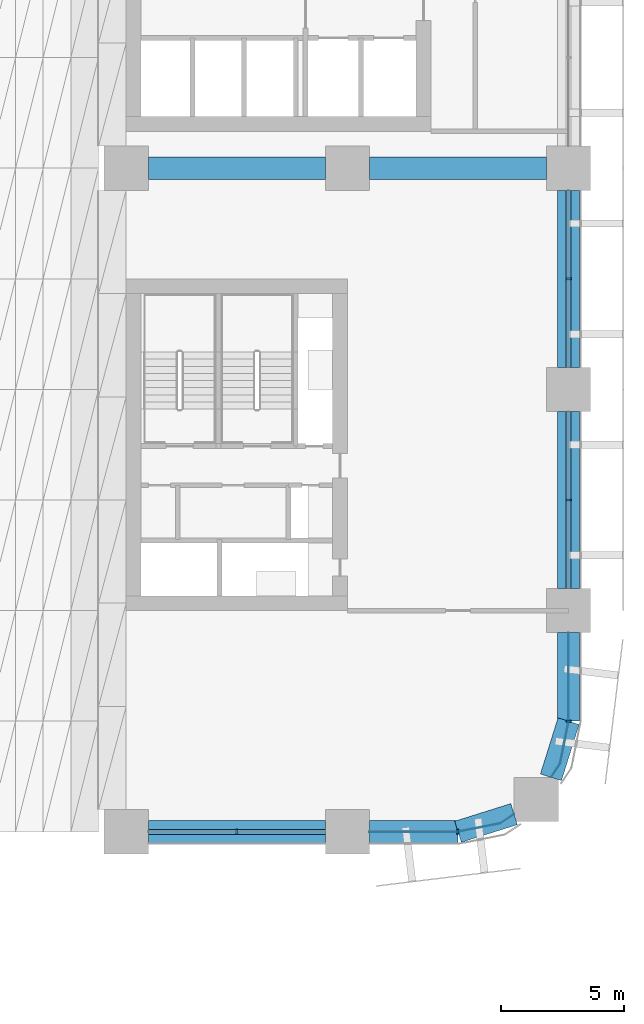
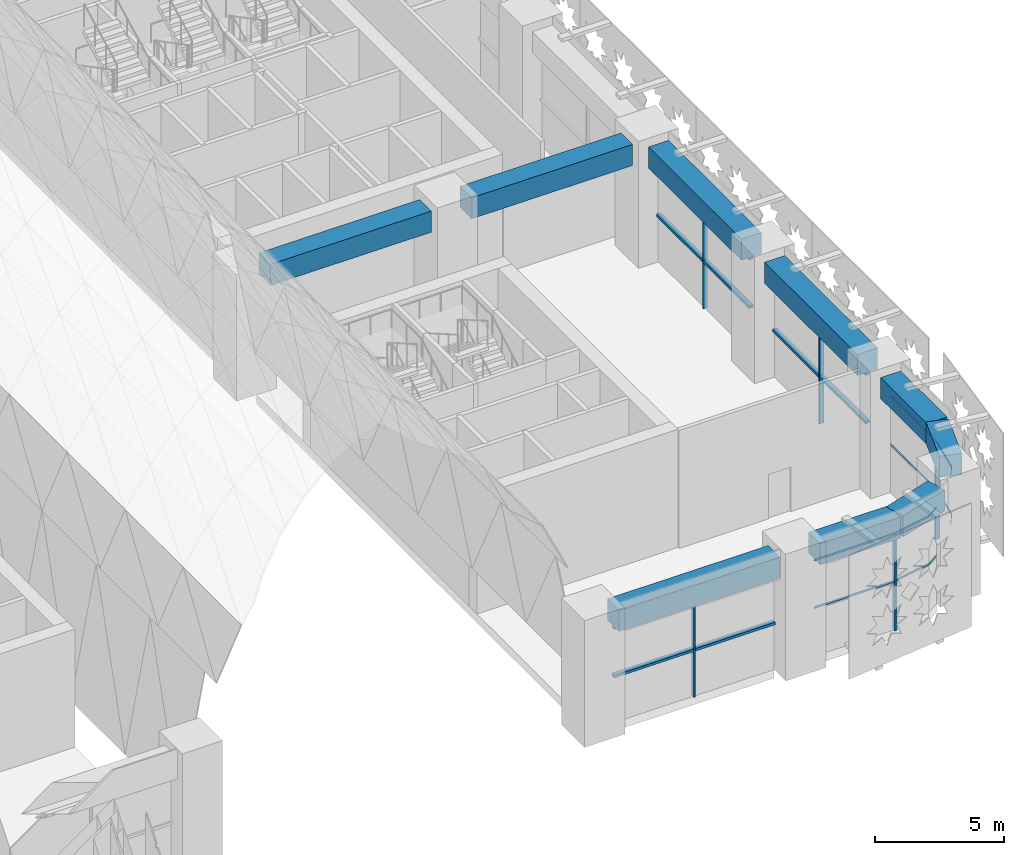
# One storey, part 6 of 46: 15 members, 9 beams, 5 elements without a shape of their own.
"""IFC4 building model written with IfcOpenShell, lengths in metres."""

from ifc_helpers import new_model, si_unit, direction, frame, origin, origin_2d, place, context, subcontext, project, spatial, polyline, rectangle, outline, extrude, material, material_profile, profile_set, type_object, element, aggregate, save


model = new_model("IFC4")

# Units and contexts
model_context = context("Model", 3, precision=1e-05, world=origin(), true_north=direction((0.0, 1.0)))
body_context = subcontext(model_context, "Body", "Model", "MODEL_VIEW")
ifc_project = project(units=[si_unit("LENGTHUNIT", "METRE"), si_unit("AREAUNIT", "SQUARE_METRE"), si_unit("VOLUMEUNIT", "CUBIC_METRE"), si_unit("PLANEANGLEUNIT", "RADIAN"), si_unit("MASSUNIT", "GRAM", prefix="KILO")], contexts=[model_context])

# Site, building, storey
site_placement = place(None, origin())
site = spatial("IfcSite", under=ifc_project, at=site_placement, CompositionType="ELEMENT")
building_placement = place(site_placement, origin())
building = spatial("IfcBuilding", under=site, at=building_placement, Name="Tessera Arch", CompositionType="ELEMENT")
storey_placement = place(building_placement, frame((0.0, 0.0, 8.0)))
storey = spatial("IfcBuildingStorey", under=building, at=storey_placement, Name="L01", CompositionType="ELEMENT", Elevation=8.0)

# Curtain wall, member
ifc_material_1 = material(Name="CW2 curtain wall")
curtain_wall_type_1 = type_object("IfcCurtainWallType", Name="CW2 curtain wall", PredefinedType="NOTDEFINED", material=ifc_material_1)
curtain_wall_1_placement = place(storey_placement, origin())
curtain_wall_1 = element("IfcCurtainWall", 1, at=curtain_wall_1_placement, inside=storey, type_object=curtain_wall_type_1, Name="CW2 curtain wall S0.36/1 L01", PredefinedType="NOTDEFINED")
ifc_material_2 = material(Name="Anodised aluminium pale metal", Category="aluminium")
ifc_material_profile_1 = material_profile(ifc_material_2, rectangle(XDim=0.199951171875, YDim=0.080078125, at=origin_2d()), Name="AL 80x200")
ifc_profile_set_1 = profile_set([ifc_material_profile_1], Name="Anodised aluminium pale metal")
member_type_1 = type_object("IfcMemberType", Name="CW2 mullion", PredefinedType="MULLION", material=ifc_profile_set_1)
member_1_placement = place(storey_placement, frame((49.5, 0.0, 0.0), z_axis=(0.0, 0.0, 1.0), x_axis=(0.0, 1.0, 0.0)))
member_1 = element("IfcMember", 2, at=member_1_placement, type_object=member_type_1, Name="CW2 mullion S0.36/1 1", PredefinedType="MULLION", context=body_context, shape_type="SweptSolid", body=[
    extrude(rectangle(XDim=0.199951171875, YDim=0.080078125, at=origin_2d()), origin(), (0.0, 0.0, 1.0), 4.489990234375),
])

curtain_wall_2_placement = place(storey_placement, origin())
curtain_wall_2 = element("IfcCurtainWall", 3, at=curtain_wall_2_placement, inside=storey, type_object=curtain_wall_type_1, Name="CW2 curtain wall E54.0/5 L01", PredefinedType="NOTDEFINED")
member_2_placement = place(storey_placement, frame((54.0, 4.5, 0.0), z_axis=(0.0, 0.0, 1.0), x_axis=(-1.0, 0.0, 0.0)))
member_2 = element("IfcMember", 4, at=member_2_placement, type_object=member_type_1, Name="CW2 mullion E54.0/5 1", PredefinedType="MULLION", context=body_context, shape_type="SweptSolid", body=[
    extrude(rectangle(XDim=0.199951171875, YDim=0.080078125, at=origin_2d()), origin(), (0.0, 0.0, 1.0), 4.489990234375),
])

# Member
ifc_material_3 = material(Name="Anodised aluminium pale metal", Category="aluminium")
ifc_material_profile_2 = material_profile(ifc_material_3, rectangle(XDim=0.199951171875, YDim=0.10009765625, at=origin_2d()), Name="AL 200x100")
ifc_profile_set_2 = profile_set([ifc_material_profile_2], Name="Anodised aluminium pale metal")
member_type_2 = type_object("IfcMemberType", Name="CW2 transom", PredefinedType="USERDEFINED", material=ifc_profile_set_2)
member_3_placement = place(storey_placement, frame((0.0, 0.0, 2.2451171875)))
member_3 = element("IfcMember", 5, at=member_3_placement, type_object=member_type_2, Name="CW2 transom S0.36/1 1", ObjectType="TRANSOM", PredefinedType="USERDEFINED", context=body_context, shape_type="SweptSolid", body=[
    extrude(outline(polyline([(49.4990234375, 0.010009765625), (45.89990234375, 0.010009765625), (45.89990234375, -0.010009765625), (49.5009765625, -0.010009765625), (51.22607421875, 0.3330078125), (51.78759765625, 0.70849609375), (51.7763671875, 0.72509765625), (51.21826171875, 0.351806640625), (49.4990234375, 0.010009765625)])), origin(), (0.0, 0.0, 1.0), 0.099853515625),
])

member_4_placement = place(storey_placement, frame((0.0, 0.0, 4.489990234375)))
member_4 = element("IfcMember", 6, at=member_4_placement, type_object=member_type_2, Name="CW2 transom S0.36/1 2", ObjectType="TRANSOM", PredefinedType="USERDEFINED", context=body_context, shape_type="SweptSolid", body=[
    extrude(outline(polyline([(49.4990234375, 0.010009765625), (45.89990234375, 0.010009765625), (45.89990234375, -0.010009765625), (49.5009765625, -0.010009765625), (51.22607421875, 0.3330078125), (51.78759765625, 0.70849609375), (51.7763671875, 0.72509765625), (51.21826171875, 0.351806640625), (49.4990234375, 0.010009765625)])), origin(), (0.0, 0.0, 1.0), 0.10009765625),
])

aggregate(curtain_wall_1, [member_1, member_3, member_4])

member_5_placement = place(storey_placement, frame((0.0, 0.0, 2.2451171875)))
member_5 = element("IfcMember", 7, at=member_5_placement, type_object=member_type_2, Name="CW2 transom E54.0/5 1", ObjectType="TRANSOM", PredefinedType="USERDEFINED", context=body_context, shape_type="SweptSolid", body=[
    extrude(outline(polyline([(53.648193359375, 2.78173828125), (53.27490234375, 2.2236328125), (53.29150390625, 2.21240234375), (53.6669921875, 2.77392578125), (54.010009765625, 4.4990234375), (54.010009765625, 8.10009765625), (53.989990234375, 8.10009765625), (53.989990234375, 4.5009765625), (53.648193359375, 2.78173828125)])), origin(), (0.0, 0.0, 1.0), 0.099853515625),
])

member_6_placement = place(storey_placement, frame((0.0, 0.0, 4.489990234375)))
member_6 = element("IfcMember", 8, at=member_6_placement, type_object=member_type_2, Name="CW2 transom E54.0/5 2", ObjectType="TRANSOM", PredefinedType="USERDEFINED", context=body_context, shape_type="SweptSolid", body=[
    extrude(outline(polyline([(53.648193359375, 2.78173828125), (53.27490234375, 2.2236328125), (53.29150390625, 2.21240234375), (53.6669921875, 2.77392578125), (54.010009765625, 4.4990234375), (54.010009765625, 8.10009765625), (53.989990234375, 8.10009765625), (53.989990234375, 4.5009765625), (53.648193359375, 2.78173828125)])), origin(), (0.0, 0.0, 1.0), 0.10009765625),
])

aggregate(curtain_wall_2, [member_2, member_5, member_6])

# Curtain wall, member
ifc_material_4 = material(Name="CW6 curtain wall")
curtain_wall_type_2 = type_object("IfcCurtainWallType", Name="CW6 curtain wall", PredefinedType="NOTDEFINED", material=ifc_material_4)
curtain_wall_3_placement = place(storey_placement, origin())
curtain_wall_3 = element("IfcCurtainWall", 9, at=curtain_wall_3_placement, inside=storey, type_object=curtain_wall_type_2, Name="CW6 curtain wall E54.0/0 L01", PredefinedType="NOTDEFINED")
ifc_material_5 = material(Name="Anodised aluminium pale metal", Category="aluminium")
ifc_material_profile_3 = material_profile(ifc_material_5, rectangle(XDim=0.199951171875, YDim=0.070068359375, at=origin_2d()), Name="AL 70x200")
ifc_profile_set_3 = profile_set([ifc_material_profile_3], Name="Anodised aluminium pale metal")
member_type_3 = type_object("IfcMemberType", Name="CW6 mullion", PredefinedType="MULLION", material=ifc_profile_set_3)
member_7_placement = place(storey_placement, frame((54.0, 13.5, 0.0), z_axis=(0.0, 0.0, 1.0), x_axis=(-1.0, 0.0, 0.0)))
member_7 = element("IfcMember", 10, at=member_7_placement, type_object=member_type_3, Name="CW6 mullion E54.0/0 1", PredefinedType="MULLION", context=body_context, shape_type="SweptSolid", body=[
    extrude(rectangle(XDim=0.199951171875, YDim=0.070068359375, at=origin_2d()), origin(), (0.0, 0.0, 1.0), 4.469970703125),
])

curtain_wall_4_placement = place(storey_placement, origin())
curtain_wall_4 = element("IfcCurtainWall", 11, at=curtain_wall_4_placement, inside=storey, type_object=curtain_wall_type_2, Name="CW6 curtain wall E54.0/1 L01", PredefinedType="NOTDEFINED")
member_8_placement = place(storey_placement, frame((54.0, 22.5, 0.0), z_axis=(0.0, 0.0, 1.0), x_axis=(-1.0, 0.0, 0.0)))
member_8 = element("IfcMember", 12, at=member_8_placement, type_object=member_type_3, Name="CW6 mullion E54.0/1 1", PredefinedType="MULLION", context=body_context, shape_type="SweptSolid", body=[
    extrude(rectangle(XDim=0.199951171875, YDim=0.070068359375, at=origin_2d()), origin(), (0.0, 0.0, 1.0), 4.469970703125),
])

curtain_wall_5_placement = place(storey_placement, origin())
curtain_wall_5 = element("IfcCurtainWall", 13, at=curtain_wall_5_placement, inside=storey, type_object=curtain_wall_type_2, Name="CW6 curtain wall S0.36/0 L01", PredefinedType="NOTDEFINED")
member_9_placement = place(storey_placement, frame((40.5, 0.0, 0.0), z_axis=(0.0, 0.0, 1.0), x_axis=(0.0, 1.0, 0.0)))
member_9 = element("IfcMember", 14, at=member_9_placement, type_object=member_type_3, Name="CW6 mullion S0.36/0 1", PredefinedType="MULLION", context=body_context, shape_type="SweptSolid", body=[
    extrude(rectangle(XDim=0.199951171875, YDim=0.070068359375, at=origin_2d()), origin(), (0.0, 0.0, 1.0), 4.469970703125),
])

# Member
ifc_material_6 = material(Name="Anodised aluminium pale metal", Category="aluminium")
ifc_material_profile_4 = material_profile(ifc_material_6, rectangle(XDim=0.199951171875, YDim=0.1201171875, at=origin_2d()), Name="AL 200x120")
ifc_profile_set_4 = profile_set([ifc_material_profile_4], Name="Anodised aluminium pale metal")
member_type_4 = type_object("IfcMemberType", Name="CW6 transom", PredefinedType="USERDEFINED", material=ifc_profile_set_4)
member_10_placement = place(storey_placement, frame((54.0, 9.89990234375, 4.530029296875), z_axis=(0.0, 1.0, 0.0), x_axis=(-1.0, 0.0, 0.0)))
member_10 = element("IfcMember", 15, at=member_10_placement, type_object=member_type_4, Name="CW6 transom E54.0/0 1.1", ObjectType="TRANSOM", PredefinedType="USERDEFINED", context=body_context, shape_type="SweptSolid", body=[
    extrude(rectangle(XDim=0.199951171875, YDim=0.1201171875, at=origin_2d()), origin(), (0.0, 0.0, 1.0), 7.2001953125),
])

member_11_placement = place(storey_placement, frame((54.0, 9.89990234375, 2.235107421875), z_axis=(0.0, 1.0, 0.0), x_axis=(-1.0, 0.0, 0.0)))
member_11 = element("IfcMember", 16, at=member_11_placement, type_object=member_type_4, Name="CW6 transom E54.0/0 2.1", ObjectType="TRANSOM", PredefinedType="USERDEFINED", context=body_context, shape_type="SweptSolid", body=[
    extrude(rectangle(XDim=0.199951171875, YDim=0.1201171875, at=origin_2d()), origin(), (0.0, 0.0, 1.0), 7.2001953125),
])

aggregate(curtain_wall_3, [member_7, member_10, member_11])

member_12_placement = place(storey_placement, frame((54.0, 18.89990234375, 4.530029296875), z_axis=(0.0, 1.0, 0.0), x_axis=(-1.0, 0.0, 0.0)))
member_12 = element("IfcMember", 17, at=member_12_placement, type_object=member_type_4, Name="CW6 transom E54.0/1 1.1", ObjectType="TRANSOM", PredefinedType="USERDEFINED", context=body_context, shape_type="SweptSolid", body=[
    extrude(rectangle(XDim=0.199951171875, YDim=0.1201171875, at=origin_2d()), origin(), (0.0, 0.0, 1.0), 7.2001953125),
])

member_13_placement = place(storey_placement, frame((54.0, 18.89990234375, 2.235107421875), z_axis=(0.0, 1.0, 0.0), x_axis=(-1.0, 0.0, 0.0)))
member_13 = element("IfcMember", 18, at=member_13_placement, type_object=member_type_4, Name="CW6 transom E54.0/1 2.1", ObjectType="TRANSOM", PredefinedType="USERDEFINED", context=body_context, shape_type="SweptSolid", body=[
    extrude(rectangle(XDim=0.199951171875, YDim=0.1201171875, at=origin_2d()), origin(), (0.0, 0.0, 1.0), 7.2001953125),
])

aggregate(curtain_wall_4, [member_8, member_12, member_13])

member_14_placement = place(storey_placement, frame((36.89990234375, 0.0, 4.530029296875), z_axis=(1.0, 0.0, 0.0), x_axis=(0.0, 1.0, 0.0)))
member_14 = element("IfcMember", 19, at=member_14_placement, type_object=member_type_4, Name="CW6 transom S0.36/0 1.1", ObjectType="TRANSOM", PredefinedType="USERDEFINED", context=body_context, shape_type="SweptSolid", body=[
    extrude(rectangle(XDim=0.199951171875, YDim=0.1201171875, at=origin_2d()), origin(), (0.0, 0.0, 1.0), 7.2001953125),
])

member_15_placement = place(storey_placement, frame((36.89990234375, 0.0, 2.235107421875), z_axis=(1.0, 0.0, 0.0), x_axis=(0.0, 1.0, 0.0)))
member_15 = element("IfcMember", 20, at=member_15_placement, type_object=member_type_4, Name="CW6 transom S0.36/0 2.1", ObjectType="TRANSOM", PredefinedType="USERDEFINED", context=body_context, shape_type="SweptSolid", body=[
    extrude(rectangle(XDim=0.199951171875, YDim=0.1201171875, at=origin_2d()), origin(), (0.0, 0.0, 1.0), 7.2001953125),
])

aggregate(curtain_wall_5, [member_9, member_14, member_15])

# Beams
ifc_material_7 = material(Name="Concrete C80/95", Category="concrete")
ifc_material_profile_5 = material_profile(ifc_material_7, rectangle(XDim=0.89990234375, YDim=1.0, at=origin_2d()), Name="RC spandrel beam 900 x 1000 Concrete C80/95")
ifc_profile_set_5 = profile_set([ifc_material_profile_5], Name="Concrete C80/95")
beam_type = type_object("IfcBeamType", Name="RC spandrel beam 900 x 1000 Concrete C80/95", PredefinedType="BEAM", material=ifc_profile_set_5)
for number, where, z_axis, x_axis, name in (
    (21, (54.0, 9.89990234375, 5.090087890625), (0.0, 1.0, 0.0), (-1.0, 0.0, 0.0), "Spandrel beam L01 E54.0/0"),
    (22, (54.0, 18.89990234375, 5.090087890625), (0.0, 1.0, 0.0), (-1.0, 0.0, 0.0), "Spandrel beam L01 E54.0/1"),
    (23, (36.89990234375, 0.0, 5.090087890625), (1.0, 0.0, 0.0), (0.0, 1.0, 0.0), "Spandrel beam L01 S0.36/0"),
):
    element("IfcBeam", number, at=place(storey_placement, frame(where, z_axis=z_axis, x_axis=x_axis)), inside=storey, type_object=beam_type, Name=name, PredefinedType="BEAM", context=body_context, shape_type="SweptSolid", body=[
        extrude(rectangle(XDim=0.89990234375, YDim=1.0, at=origin_2d()), origin(), (0.0, 0.0, 1.0), 7.2001953125),
    ])
beam_1_placement = place(storey_placement, frame((45.89990234375, 0.0, 5.090087890625), z_axis=(1.0, 0.0, 0.0), x_axis=(0.0, 1.0, 0.0)))
element("IfcBeam", 24, at=beam_1_placement, inside=storey, type_object=beam_type, Name="Spandrel beam L01 S0.36/1.1", PredefinedType="BEAM", context=body_context, shape_type="SweptSolid", body=[
    extrude(rectangle(XDim=0.89990234375, YDim=1.0, at=origin_2d()), origin(), (0.0, 0.0, 1.0), 3.60009765625),
])
for number, where, z_axis, x_axis, name in (
    (25, (49.5, 0.0, 5.090087890625), (0.954041251279, 0.299675309057, 0.0), (-0.299675309057, 0.954041251279, 0.0), "Spandrel beam L01 S0.36/1.2"),
    (26, (53.283203125, 2.218017578125, 5.090087890625), (0.299675309057, 0.954041251279, 0.0), (-0.954041251279, 0.299675309057, 0.0), "Spandrel beam L01 E54.0/5.1"),
):
    element("IfcBeam", number, at=place(storey_placement, frame(where, z_axis=z_axis, x_axis=x_axis)), inside=storey, type_object=beam_type, Name=name, PredefinedType="BEAM", context=body_context, shape_type="SweptSolid", body=[
        extrude(rectangle(XDim=0.89990234375, YDim=1.0, at=origin_2d()), origin(), (0.0, 0.0, 1.0), 2.391845703125),
    ])
beam_2_placement = place(storey_placement, frame((54.0, 4.5, 5.090087890625), z_axis=(0.0, 1.0, 0.0), x_axis=(-1.0, 0.0, 0.0)))
element("IfcBeam", 27, at=beam_2_placement, inside=storey, type_object=beam_type, Name="Spandrel beam L01 E54.0/5.2", PredefinedType="BEAM", context=body_context, shape_type="SweptSolid", body=[
    extrude(rectangle(XDim=0.89990234375, YDim=1.0, at=origin_2d()), origin(), (0.0, 0.0, 1.0), 3.60009765625),
])
for number, where, z_axis, x_axis, name in (
    (28, (36.89990234375, 27.0, 5.090087890625), (1.0, 0.0, 0.0), (0.0, 1.0, 0.0), "Interface beam L01 I1C5D-C6D"),
    (29, (45.89990234375, 27.0, 5.090087890625), (1.0, 0.0, 0.0), (0.0, 1.0, 0.0), "Interface beam L01 I1C6D-C7D"),
):
    element("IfcBeam", number, at=place(storey_placement, frame(where, z_axis=z_axis, x_axis=x_axis)), inside=storey, type_object=beam_type, Name=name, PredefinedType="BEAM", context=body_context, shape_type="SweptSolid", body=[
        extrude(rectangle(XDim=0.89990234375, YDim=1.0, at=origin_2d()), origin(), (0.0, 0.0, 1.0), 7.2001953125),
    ])

save(model, "model.ifc")
